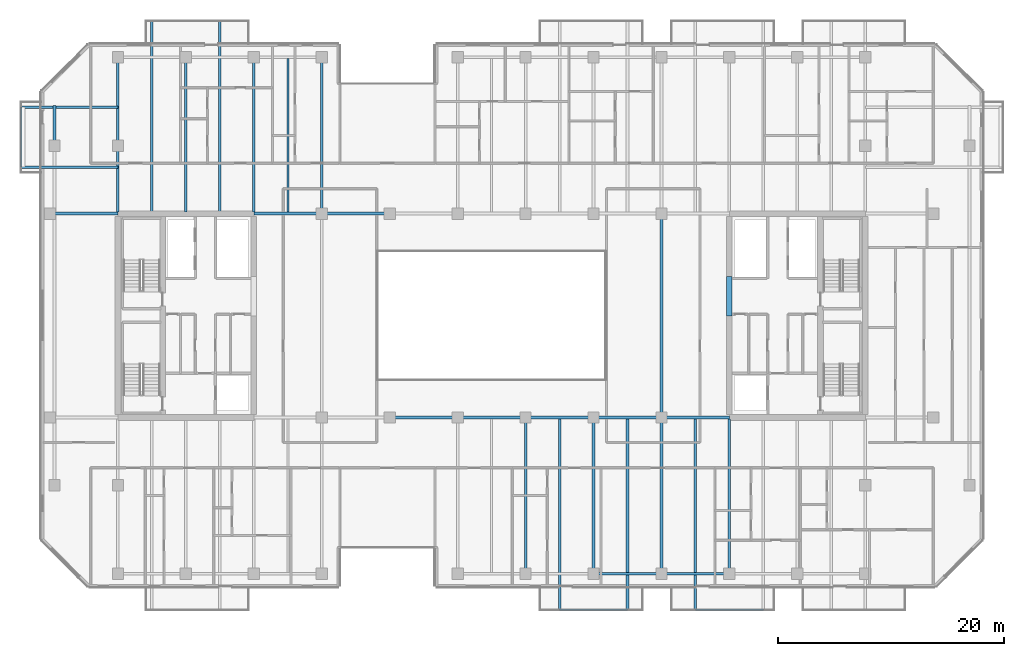
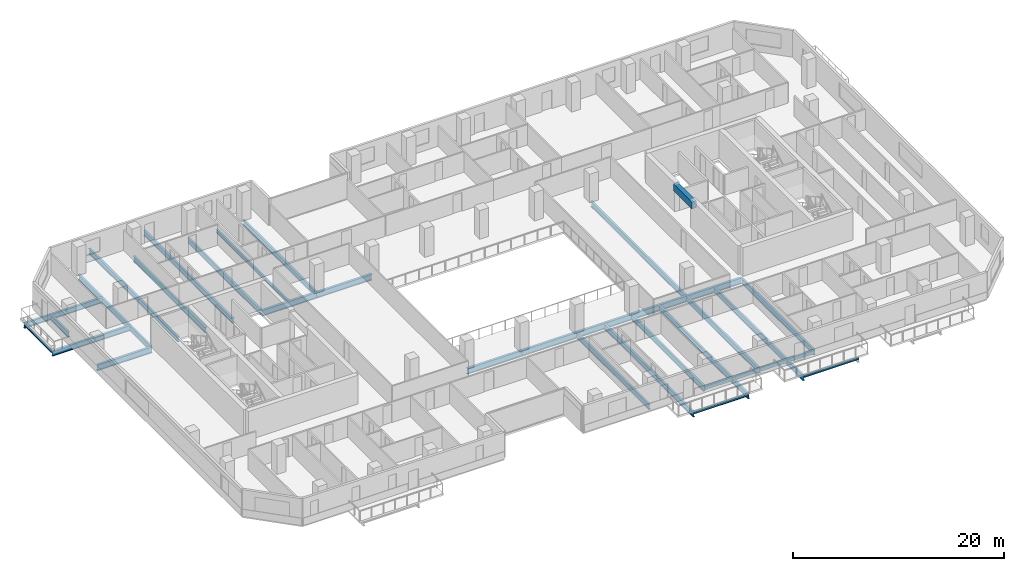
# One storey, part 5 of 23: 32 beams.
"""IFC4 building model written with IfcOpenShell, lengths in metres."""

from ifc_helpers import new_model, si_unit, direction, frame, origin, origin_2d, place, context, subcontext, project, spatial, rectangle, hollow_rectangle, i_section, extrude, material, material_profile, profile_set, type_object, element, save


model = new_model("IFC4")

# Units and contexts
model_context = context("Model", 3, precision=1e-05, world=origin(), true_north=direction((0.0, 1.0)))
body_context = subcontext(model_context, "Body", "Model", "MODEL_VIEW")
ifc_project = project(units=[si_unit("LENGTHUNIT", "METRE"), si_unit("AREAUNIT", "SQUARE_METRE"), si_unit("VOLUMEUNIT", "CUBIC_METRE"), si_unit("PLANEANGLEUNIT", "RADIAN"), si_unit("MASSUNIT", "GRAM", prefix="KILO")], contexts=[model_context])

# Site, building, storey
site_placement = place(None, origin())
site = spatial("IfcSite", under=ifc_project, at=site_placement, CompositionType="ELEMENT")
building_placement = place(site_placement, origin())
building = spatial("IfcBuilding", under=site, at=building_placement, Name="Tanjung Sevakor Pilgrim Tower", CompositionType="ELEMENT")
storey_placement = place(building_placement, frame((0.0, 0.0, 85.469970703125)))
storey = spatial("IfcBuildingStorey", under=building, at=storey_placement, Name="L23", CompositionType="ELEMENT", Elevation=85.469970703125)

# Beams
ifc_material_1 = material(Name="Steel S355J2", Category="steel")
ifc_material_profile_1 = material_profile(ifc_material_1, i_section(OverallWidth=0.25439453125, OverallDepth=0.6875, WebThickness=0.01318359375, FlangeThickness=0.02099609375, FilletRadius=0.01513671875, at=origin_2d()))
ifc_profile_set_1 = profile_set([ifc_material_profile_1], Name="Steel S355J2")
beam_type_1 = type_object("IfcBeamType", Name="BM-B-G2-UB_686x254x152", PredefinedType="BEAM", material=ifc_profile_set_1)
for number, where, z_axis, x_axis, name in (
    (1, (48.0, 24.60009765625, -0.563720703125), (1.0, 0.0, 0.0), (0.0, 1.0, 0.0), "L23 Primary Floor Girder MAIN Y246-04"),
    (2, (54.0, 24.60009765625, -0.563720703125), (1.0, 0.0, 0.0), (0.0, 1.0, 0.0), "L23 Primary Floor Girder MAIN Y246-05"),
    (3, (60.0, 24.60009765625, -0.563720703125), (1.0, 0.0, 0.0), (0.0, 1.0, 0.0), "L23 Primary Floor Girder MAIN Y246-06"),
    (4, (66.0, 24.60009765625, -0.563720703125), (1.0, 0.0, 0.0), (0.0, 1.0, 0.0), "L23 Primary Floor Girder MAIN Y246-07"),
    (5, (72.0, 24.60009765625, -0.563720703125), (1.0, 0.0, 0.0), (0.0, 1.0, 0.0), "L23 Primary Floor Girder MAIN Y246-08"),
    (6, (18.0, 42.60009765625, -0.563720703125), (1.0, 0.0, 0.0), (0.0, 1.0, 0.0), "L23 Primary Floor Girder MAIN Y426-01"),
    (7, (36.0, 42.60009765625, -0.563720703125), (1.0, 0.0, 0.0), (0.0, 1.0, 0.0), "L23 Primary Floor Girder MAIN Y426-02"),
    (8, (42.0, 42.60009765625, -0.563720703125), (1.0, 0.0, 0.0), (0.0, 1.0, 0.0), "L23 Primary Floor Girder MAIN Y426-03"),
):
    element("IfcBeam", number, at=place(storey_placement, frame(where, z_axis=z_axis, x_axis=x_axis)), inside=storey, type_object=beam_type_1, Name=name, PredefinedType="BEAM", context=body_context, shape_type="SweptSolid", body=[
        extrude(i_section(OverallWidth=0.25439453125, OverallDepth=0.6875, WebThickness=0.01318359375, FlangeThickness=0.02099609375, FilletRadius=0.01513671875, at=origin_2d()), origin(), (0.0, 0.0, 1.0), 6.0),
    ])
ifc_material_2 = material(Name="Steel S355J2", Category="steel")
ifc_material_profile_2 = material_profile(ifc_material_2, i_section(OverallWidth=0.230224609375, OverallDepth=0.6171875, WebThickness=0.01318359375, FlangeThickness=0.022216796875, FilletRadius=0.0126953125, at=origin_2d()))
ifc_profile_set_2 = profile_set([ifc_material_profile_2], Name="Steel S355J2")
beam_type_2 = type_object("IfcBeamType", Name="BM-B-G3-UB_610x229x140", PredefinedType="BEAM", material=ifc_profile_set_2)
for number, where, z_axis, x_axis, name in (
    (9, (24.0, 42.727294921875, -0.528564453125), (0.0, 1.0, 0.0), (-1.0, 0.0, 0.0), "L23 MAIN Girder 002"),
    (10, (30.0, 42.727294921875, -0.528564453125), (0.0, 1.0, 0.0), (-1.0, 0.0, 0.0), "L23 MAIN Girder 004"),
    (11, (36.0, 42.727294921875, -0.528564453125), (0.0, 1.0, 0.0), (-1.0, 0.0, 0.0), "L23 MAIN Girder 006"),
):
    element("IfcBeam", number, at=place(storey_placement, frame(where, z_axis=z_axis, x_axis=x_axis)), inside=storey, type_object=beam_type_2, Name=name, PredefinedType="BEAM", context=body_context, shape_type="SweptSolid", body=[
        extrude(i_section(OverallWidth=0.230224609375, OverallDepth=0.6171875, WebThickness=0.01318359375, FlangeThickness=0.022216796875, FilletRadius=0.0126953125, at=origin_2d()), origin(), (0.0, 0.0, 1.0), 13.672607421875),
    ])
beam_1_placement = place(storey_placement, frame((42.0, 42.60009765625, -0.528564453125), z_axis=(0.0, 1.0, 0.0), x_axis=(-1.0, 0.0, 0.0)))
element("IfcBeam", 12, at=beam_1_placement, inside=storey, type_object=beam_type_2, Name="L23 MAIN Girder 011", PredefinedType="BEAM", context=body_context, shape_type="SweptSolid", body=[
    extrude(i_section(OverallWidth=0.230224609375, OverallDepth=0.6171875, WebThickness=0.01318359375, FlangeThickness=0.022216796875, FilletRadius=0.0126953125, at=origin_2d()), origin(), (0.0, 0.0, 1.0), 13.7998046875),
])
for number, where, z_axis, x_axis, name in (
    (13, (60.0, 10.800048828125, -0.528564453125), (0.0, 1.0, 0.0), (-1.0, 0.0, 0.0), "L23 MAIN Girder 016"),
    (14, (66.0, 10.800048828125, -0.528564453125), (0.0, 1.0, 0.0), (-1.0, 0.0, 0.0), "L23 MAIN Girder 018"),
    (15, (72.0, 10.800048828125, -0.528564453125), (0.0, 1.0, 0.0), (-1.0, 0.0, 0.0), "L23 MAIN Girder 020"),
):
    element("IfcBeam", number, at=place(storey_placement, frame(where, z_axis=z_axis, x_axis=x_axis)), inside=storey, type_object=beam_type_2, Name=name, PredefinedType="BEAM", context=body_context, shape_type="SweptSolid", body=[
        extrude(i_section(OverallWidth=0.230224609375, OverallDepth=0.6171875, WebThickness=0.01318359375, FlangeThickness=0.022216796875, FilletRadius=0.0126953125, at=origin_2d()), origin(), (0.0, 0.0, 1.0), 13.800048828125),
    ])
beam_2_placement = place(storey_placement, frame((72.0, 24.60009765625, -0.528564453125), z_axis=(0.0, 1.0, 0.0), x_axis=(-1.0, 0.0, 0.0)))
element("IfcBeam", 16, at=beam_2_placement, inside=storey, type_object=beam_type_2, Name="L23 MAIN Girder 021", PredefinedType="BEAM", context=body_context, shape_type="SweptSolid", body=[
    extrude(i_section(OverallWidth=0.230224609375, OverallDepth=0.6171875, WebThickness=0.01318359375, FlangeThickness=0.022216796875, FilletRadius=0.0126953125, at=origin_2d()), origin(), (0.0, 0.0, 1.0), 18.0),
])
beam_3_placement = place(storey_placement, frame((78.0, 10.800048828125, -0.528564453125), z_axis=(0.0, 1.0, 0.0), x_axis=(-1.0, 0.0, 0.0)))
element("IfcBeam", 17, at=beam_3_placement, inside=storey, type_object=beam_type_2, Name="L23 MAIN Girder 023", PredefinedType="BEAM", context=body_context, shape_type="SweptSolid", body=[
    extrude(i_section(OverallWidth=0.230224609375, OverallDepth=0.6171875, WebThickness=0.01318359375, FlangeThickness=0.022216796875, FilletRadius=0.0126953125, at=origin_2d()), origin(), (0.0, 0.0, 1.0), 13.672607421875),
])
ifc_material_3 = material(Name="Steel S355J2", Category="steel")
ifc_material_profile_3 = material_profile(ifc_material_3, i_section(OverallWidth=0.22900390625, OverallDepth=0.6123046875, WebThickness=0.011962890625, FlangeThickness=0.01953125, FilletRadius=0.0126953125, at=origin_2d()))
ifc_profile_set_3 = profile_set([ifc_material_profile_3], Name="Steel S355J2")
beam_type_3 = type_object("IfcBeamType", Name="BM-B-G4-UB_610x229x125", PredefinedType="BEAM", material=ifc_profile_set_3)
beam_4_placement = place(storey_placement, frame((18.39990234375, 48.60009765625, -0.526123046875), z_axis=(0.0, 1.0, 0.0), x_axis=(-1.0, 0.0, 0.0)))
element("IfcBeam", 18, at=beam_4_placement, inside=storey, type_object=beam_type_3, Name="L23 Short-End Edge Extension N-W", PredefinedType="BEAM", context=body_context, shape_type="SweptSolid", body=[
    extrude(i_section(OverallWidth=0.22900390625, OverallDepth=0.6123046875, WebThickness=0.011962890625, FlangeThickness=0.01953125, FilletRadius=0.0126953125, at=origin_2d()), origin(), (0.0, 0.0, 1.0), 3.5498046875),
])
for number, where, z_axis, x_axis, name in (
    (19, (24.0, 46.699951171875, -0.526123046875), (-1.0, 0.0, 0.0), (0.0, -1.0, 0.0), "L23 Balcony Overhanging Beam MAIN-W1-1"),
    (20, (24.0, 52.0, -0.526123046875), (-1.0, 0.0, 0.0), (0.0, -1.0, 0.0), "L23 Balcony Overhanging Beam MAIN-W1-2"),
):
    element("IfcBeam", number, at=place(storey_placement, frame(where, z_axis=z_axis, x_axis=x_axis)), inside=storey, type_object=beam_type_3, Name=name, PredefinedType="BEAM", context=body_context, shape_type="SweptSolid", body=[
        extrude(i_section(OverallWidth=0.22900390625, OverallDepth=0.6123046875, WebThickness=0.011962890625, FlangeThickness=0.01953125, FilletRadius=0.0126953125, at=origin_2d()), origin(), (0.0, 0.0, 1.0), 8.530029296875),
    ])
for number, where, z_axis, x_axis, name in (
    (21, (27.0, 42.727294921875, -0.526123046875), (0.0, 1.0, 0.0), (-1.0, 0.0, 0.0), "L23 Balcony Cantilever Beam MAIN-N1-1"),
    (22, (33.0, 42.727294921875, -0.526123046875), (0.0, 1.0, 0.0), (-1.0, 0.0, 0.0), "L23 Balcony Cantilever Beam MAIN-N1-2"),
):
    element("IfcBeam", number, at=place(storey_placement, frame(where, z_axis=z_axis, x_axis=x_axis)), inside=storey, type_object=beam_type_3, Name=name, PredefinedType="BEAM", context=body_context, shape_type="SweptSolid", body=[
        extrude(i_section(OverallWidth=0.22900390625, OverallDepth=0.6123046875, WebThickness=0.011962890625, FlangeThickness=0.01953125, FilletRadius=0.0126953125, at=origin_2d()), origin(), (0.0, 0.0, 1.0), 16.852783203125),
    ])
for number, where, z_axis, x_axis, name in (
    (23, (63.0, 24.47265625, -0.526123046875), (0.0, -1.0, 0.0), (1.0, 0.0, 0.0), "L23 Balcony Cantilever Beam MAIN-S2-1"),
    (24, (69.0, 24.47265625, -0.526123046875), (0.0, -1.0, 0.0), (1.0, 0.0, 0.0), "L23 Balcony Cantilever Beam MAIN-S2-2"),
    (25, (75.0, 24.47265625, -0.526123046875), (0.0, -1.0, 0.0), (1.0, 0.0, 0.0), "L23 Balcony Cantilever Beam MAIN-S3-1"),
):
    element("IfcBeam", number, at=place(storey_placement, frame(where, z_axis=z_axis, x_axis=x_axis)), inside=storey, type_object=beam_type_3, Name=name, PredefinedType="BEAM", context=body_context, shape_type="SweptSolid", body=[
        extrude(i_section(OverallWidth=0.22900390625, OverallDepth=0.6123046875, WebThickness=0.011962890625, FlangeThickness=0.01953125, FilletRadius=0.0126953125, at=origin_2d()), origin(), (0.0, 0.0, 1.0), 16.8525390625),
    ])
ifc_material_4 = material(Name="Steel S355J2", Category="steel")
ifc_material_profile_4 = material_profile(ifc_material_4, i_section(OverallWidth=0.1787109375, OverallDepth=0.409423828125, WebThickness=0.0087890625, FlangeThickness=0.014404296875, FilletRadius=0.01025390625, at=origin_2d()))
ifc_profile_set_4 = profile_set([ifc_material_profile_4], Name="Steel S355J2")
beam_type_4 = type_object("IfcBeamType", Name="BM-B-J3-UB_406x178x67", PredefinedType="JOIST", material=ifc_profile_set_4)
beam_5_placement = place(storey_placement, frame((39.0, 42.727294921875, -0.424560546875), z_axis=(0.0, 1.0, 0.0), x_axis=(-1.0, 0.0, 0.0)))
element("IfcBeam", 26, at=beam_5_placement, inside=storey, type_object=beam_type_4, Name="L23 MAIN Joist 008", PredefinedType="JOIST", context=body_context, shape_type="SweptSolid", body=[
    extrude(i_section(OverallWidth=0.1787109375, OverallDepth=0.409423828125, WebThickness=0.0087890625, FlangeThickness=0.014404296875, FilletRadius=0.01025390625, at=origin_2d()), origin(), (0.0, 0.0, 1.0), 13.57275390625),
])
ifc_material_5 = material(Name="Steel S355J2", Category="steel")
ifc_material_profile_5 = material_profile(ifc_material_5, i_section(OverallWidth=0.146484375, OverallDepth=0.256103515625, WebThickness=0.00634765625, FlangeThickness=0.010986328125, FilletRadius=0.007568359375, at=origin_2d()))
ifc_profile_set_5 = profile_set([ifc_material_profile_5], Name="Steel S355J2")
beam_type_5 = type_object("IfcBeamType", Name="BM-B-J6-UB_254x146x37", PredefinedType="JOIST", material=ifc_profile_set_5)
for number, where, z_axis, x_axis, name in (
    (27, (63.0, 7.6201171875, -0.327880859375), (1.0, 0.0, 0.0), (0.0, 1.0, 0.0), "L23 Balcony Rim Tie MAIN-S2"),
    (28, (75.0, 7.6201171875, -0.327880859375), (1.0, 0.0, 0.0), (0.0, 1.0, 0.0), "L23 Balcony Rim Tie MAIN-S3"),
):
    element("IfcBeam", number, at=place(storey_placement, frame(where, z_axis=z_axis, x_axis=x_axis)), inside=storey, type_object=beam_type_5, Name=name, PredefinedType="JOIST", context=body_context, shape_type="SweptSolid", body=[
        extrude(i_section(OverallWidth=0.146484375, OverallDepth=0.256103515625, WebThickness=0.00634765625, FlangeThickness=0.010986328125, FilletRadius=0.007568359375, at=origin_2d()), origin(), (0.0, 0.0, 1.0), 6.0),
    ])
beam_6_placement = place(storey_placement, frame((15.469970703125, 46.699951171875, -0.327880859375), z_axis=(0.0, 1.0, 0.0), x_axis=(-1.0, 0.0, 0.0)))
element("IfcBeam", 29, at=beam_6_placement, inside=storey, type_object=beam_type_5, Name="L23 Balcony Rim Tie MAIN-W1", PredefinedType="JOIST", context=body_context, shape_type="SweptSolid", body=[
    extrude(i_section(OverallWidth=0.146484375, OverallDepth=0.256103515625, WebThickness=0.00634765625, FlangeThickness=0.010986328125, FilletRadius=0.007568359375, at=origin_2d()), origin(), (0.0, 0.0, 1.0), 5.300048828125),
])
ifc_material_6 = material(Name="Concrete C60/75", Category="concrete")
ifc_material_profile_6 = material_profile(ifc_material_6, rectangle(XDim=0.5, YDim=0.800048828125, at=origin_2d()))
ifc_profile_set_6 = profile_set([ifc_material_profile_6], Name="Concrete C60/75")
beam_type_6 = type_object("IfcBeamType", Name="BM-B-LN2-RC-BM_500x800", PredefinedType="LINTEL", material=ifc_profile_set_6)
beam_7_placement = place(storey_placement, frame((78.0, 33.550048828125, 2.679931640625), z_axis=(0.0, 1.0, 0.0), x_axis=(-1.0, 0.0, 0.0)))
element("IfcBeam", 30, at=beam_7_placement, inside=storey, type_object=beam_type_6, Name="L23 E Core Coupling Lintel", PredefinedType="LINTEL", context=body_context, shape_type="SweptSolid", body=[
    extrude(rectangle(XDim=0.5, YDim=0.800048828125, at=origin_2d()), origin(), (0.0, 0.0, 1.0), 3.5),
])
ifc_material_7 = material(Name="Steel S355J2", Category="steel")
ifc_material_profile_7 = material_profile(ifc_material_7, hollow_rectangle(XDim=0.199951171875, YDim=0.39990234375, WallThickness=0.01611328125, at=origin_2d()))
ifc_profile_set_7 = profile_set([ifc_material_profile_7], Name="Steel S355J2")
beam_type_7 = type_object("IfcBeamType", Name="BM-B-SP2-RHS_400x200x16", PredefinedType="SPANDREL", material=ifc_profile_set_7)
for number, where, z_axis, x_axis, name in (
    (31, (66.0, 10.800048828125, -0.419921875), (1.0, 0.0, 0.0), (0.0, 1.0, 0.0), "L23 Spandrel MAIN S-11"),
    (32, (72.0, 10.800048828125, -0.419921875), (1.0, 0.0, 0.0), (0.0, 1.0, 0.0), "L23 Spandrel MAIN S-13"),
):
    element("IfcBeam", number, at=place(storey_placement, frame(where, z_axis=z_axis, x_axis=x_axis)), inside=storey, type_object=beam_type_7, Name=name, PredefinedType="SPANDREL", context=body_context, shape_type="SweptSolid", body=[
        extrude(hollow_rectangle(XDim=0.199951171875, YDim=0.39990234375, WallThickness=0.01611328125, at=origin_2d()), origin(), (0.0, 0.0, 1.0), 6.0),
    ])

save(model, "model.ifc")
